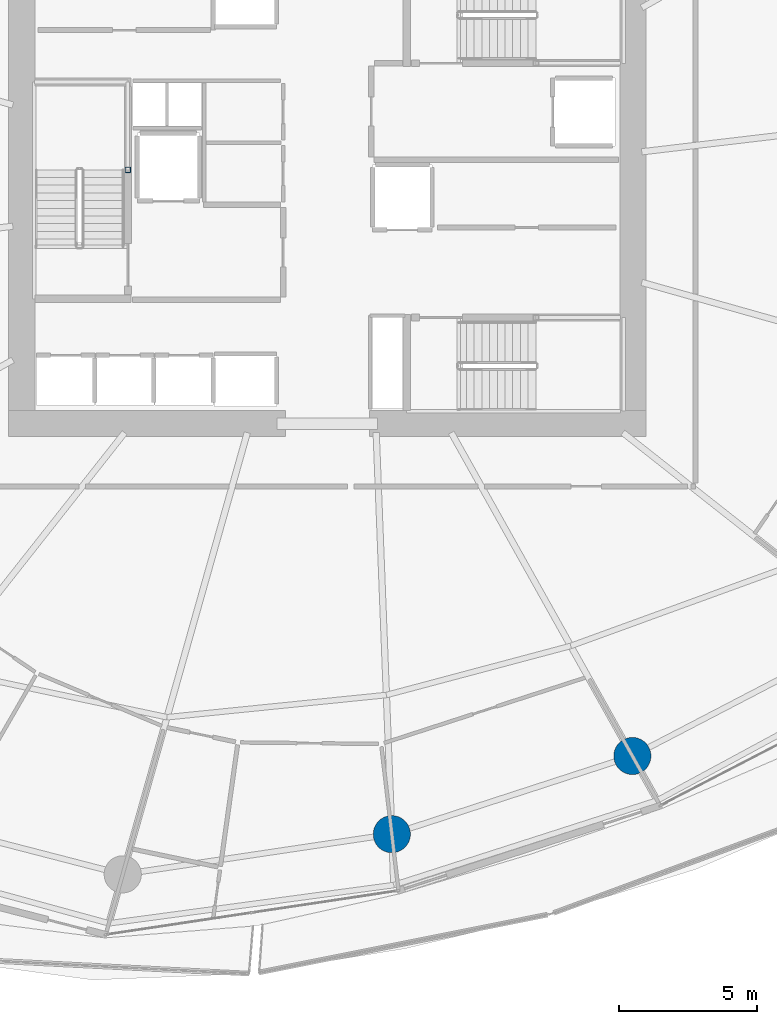
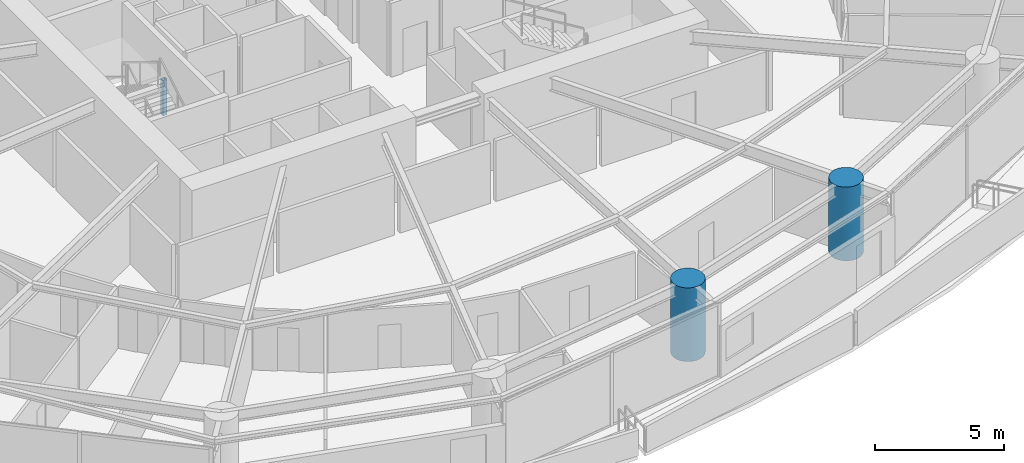
# One storey, part 2 of 31: 3 columns.
"""IFC4 building model written with IfcOpenShell, lengths in metres."""

import ifcopenshell
import ifcopenshell.guid

model = None  # the IFC model being written
_history = None  # IfcOwnerHistory: only IFC2X3 demands one
_inside = {}  # id of a spatial element -> (the spatial element, [elements in it])
_under = {}  # id of a project, library or spatial element -> (it, [spatial elements below it])
_declared = {}  # id of a project -> (the project, [libraries it declares])
_typed = {}  # id of a type object -> (the type object, [elements of that type])
_made_of = {}  # id of a material, layer set ... -> (it, [elements and type objects made of it])


def new_model(schema):
    """Start an empty IFC model of exactly this schema.

    Asked for "IFC4X3", IfcOpenShell would pick the latest addendum, in which some entities
    have other attributes; the version numbers below select the first issue.
    IFC2X3 requires an IfcOwnerHistory on every rooted entity: one is made here for all.
    """
    global model, _history
    if schema == "IFC4X3":
        model = ifcopenshell.file(schema_version=(4, 3, 0, 0))
    else:
        model = ifcopenshell.file(schema=schema)
    _inside.clear()
    _under.clear()
    _declared.clear()
    _typed.clear()
    _made_of.clear()
    _history = None
    if model.schema == "IFC2X3":
        org = make("IfcOrganization", Name="unknown")
        user = make(
            "IfcPersonAndOrganization",
            ThePerson=make("IfcPerson", FamilyName="unknown"),
            TheOrganization=org,
        )
        app = make(
            "IfcApplication",
            ApplicationDeveloper=org,
            Version="unknown",
            ApplicationFullName="unknown",
            ApplicationIdentifier="unknown",
        )
        _history = make(
            "IfcOwnerHistory",
            OwningUser=user,
            OwningApplication=app,
            ChangeAction="ADDED",
            CreationDate=0,
        )
    return model


def make(cls, **values):
    """One entity of the class cls with the attributes given. An attribute that is None is left unset."""
    return model.create_entity(
        cls, **{name: value for name, value in values.items() if value is not None}
    )


def rooted(cls, **values):
    """An entity with a GlobalId (a new one), such as an element, a storey or a relation."""
    return make(cls, GlobalId=ifcopenshell.guid.new(), OwnerHistory=_history, **values)


def si_unit(unit_type, name, prefix=None):
    """IfcSIUnit, for example si_unit("LENGTHUNIT", "METRE", prefix="MILLI")."""
    return make("IfcSIUnit", UnitType=unit_type, Prefix=prefix, Name=name)


def assignment(units):
    """IfcUnitAssignment: the units of a project."""
    return None if units is None else make("IfcUnitAssignment", Units=units)


def point(xyz):
    """IfcCartesianPoint."""
    return None if xyz is None else make("IfcCartesianPoint", Coordinates=xyz)


def direction(xyz):
    """IfcDirection."""
    return None if xyz is None else make("IfcDirection", DirectionRatios=xyz)


def frame(location, z_axis=None, x_axis=None):
    """IfcAxis2Placement3D, a coordinate frame: its origin and axes. An axis left out is left unset."""
    return make(
        "IfcAxis2Placement3D",
        Location=point(location),
        Axis=direction(z_axis),
        RefDirection=direction(x_axis),
    )


def frame_2d(location, x_axis=None):
    """IfcAxis2Placement2D, a coordinate frame in the plane: its origin and x axis."""
    return make(
        "IfcAxis2Placement2D", Location=point(location), RefDirection=direction(x_axis)
    )


def origin():
    """The frame at (0, 0, 0) with its axes left unset."""
    return frame((0.0, 0.0, 0.0))


def origin_2d():
    """The frame at (0, 0) in the plane with its x axis left unset."""
    return frame_2d((0.0, 0.0))


def place(relative_to, where):
    """IfcLocalPlacement: puts the frame where relative to a parent placement (None: the world)."""
    return make(
        "IfcLocalPlacement", PlacementRelTo=relative_to, RelativePlacement=where
    )


def context(
    kind, dimensions, precision=None, world=None, true_north=None, identifier=None
):
    """IfcGeometricRepresentationContext, for example the 3D "Model" context."""
    return make(
        "IfcGeometricRepresentationContext",
        ContextIdentifier=identifier,
        ContextType=kind,
        CoordinateSpaceDimension=dimensions,
        Precision=precision,
        WorldCoordinateSystem=world,
        TrueNorth=true_north,
    )


def subcontext(parent, identifier, kind, view, scale=None):
    """IfcGeometricRepresentationSubContext, for example "Body" below "Model"."""
    return make(
        "IfcGeometricRepresentationSubContext",
        ContextIdentifier=identifier,
        ContextType=kind,
        ParentContext=parent,
        TargetScale=scale,
        TargetView=view,
    )


def project(units=None, contexts=None):
    """IfcProject with its units and contexts."""
    return rooted(
        "IfcProject",
        Name="project",
        RepresentationContexts=contexts,
        UnitsInContext=assignment(units),
    )


def spatial(cls, under=None, at=None, **own):
    """A site, building, storey or space (cls), placed at a placement, below another one or the project."""
    s = rooted(cls, ObjectPlacement=at, **own)
    if under is not None:
        _under.setdefault(under.id(), (under, []))[1].append(s)
    return s


def profile(cls, at=None, kind="AREA", **sizes):
    """A parametric profile (cls). Its sizes go by their IFC names, for example OverallWidth=200.0."""
    return make(cls, ProfileType=kind, Position=at, **sizes)


def hollow_rectangle(**sizes):
    """IfcRectangleHollowProfileDef."""
    return profile("IfcRectangleHollowProfileDef", **sizes)


def circle(**sizes):
    """IfcCircleProfileDef."""
    return profile("IfcCircleProfileDef", **sizes)


def extrude(swept, where, along, depth):
    """IfcExtrudedAreaSolid: the profile swept, set in the frame where, extruded along a direction by depth."""
    return make(
        "IfcExtrudedAreaSolid",
        SweptArea=swept,
        Position=where,
        ExtrudedDirection=direction(along),
        Depth=depth,
    )


def shape(context_of_items, identifier, shape_type, items):
    """IfcShapeRepresentation: the items that make up one representation, for example the "Body"."""
    return make(
        "IfcShapeRepresentation",
        ContextOfItems=context_of_items,
        RepresentationIdentifier=identifier,
        RepresentationType=shape_type,
        Items=items,
    )


def material(Name=None, Category=None):
    """IfcMaterial."""
    return make("IfcMaterial", Name=Name, Category=Category)


def material_profile(
    of_material, cross_section, Name=None, Category=None, Priority=None
):
    """IfcMaterialProfile: a cross section and its material."""
    return make(
        "IfcMaterialProfile",
        Name=Name,
        Material=of_material,
        Profile=cross_section,
        Priority=Priority,
        Category=Category,
    )


def profile_set(profiles, Name=None, composite=None):
    """IfcMaterialProfileSet."""
    return make(
        "IfcMaterialProfileSet",
        Name=Name,
        MaterialProfiles=profiles,
        CompositeProfile=composite,
    )


def made_of(thing, what):
    """Note that an element or type object is made of a material, layer set ...; save() writes the relation."""
    if what is not None:
        _made_of.setdefault(what.id(), (what, []))[1].append(thing)
    return thing


def type_object(cls, material=None, **own):
    """A type object (cls), such as IfcWallType, which elements share."""
    return made_of(rooted(cls, **own), material)


def element(
    cls,
    number,
    at=None,
    inside=None,
    cuts=None,
    type_object=None,
    material=None,
    context=None,
    identifier="Body",
    shape_type=None,
    held_by="IfcProductDefinitionShape",
    body=None,
    shapes=None,
    **own,
):
    """One element of the class cls, such as IfcWall. Its Tag is "e" and its number.

    at: its placement. inside: the storey or other place that contains it. cuts: it is an
    opening in that element (IfcRelVoidsElement). A single representation is given by context,
    identifier, shape_type and body (its items); several are given by shapes. held_by: the class
    of the entity that holds the representations. save() writes the other relations.
    """
    e = rooted(cls, Tag="e%d" % number, ObjectPlacement=at, **own)
    if body is not None:
        shapes = [shape(context, identifier, shape_type, body)]
    if shapes is not None:
        e.Representation = make(held_by, Representations=shapes)
    if inside is not None:
        _inside.setdefault(inside.id(), (inside, []))[1].append(e)
    if cuts is not None:
        rooted(
            "IfcRelVoidsElement", RelatingBuildingElement=cuts, RelatedOpeningElement=e
        )
    if type_object is not None:
        _typed.setdefault(type_object.id(), (type_object, []))[1].append(e)
    return made_of(e, material)


def aggregate(whole, parts):
    """IfcRelAggregates: a whole, such as a stair, and the parts it consists of."""
    return rooted("IfcRelAggregates", RelatingObject=whole, RelatedObjects=parts)


def save(model, path):
    """Write the relations noted so far, then the file.

    IfcRelAggregates (storeys below a building ...), IfcRelContainedInSpatialStructure (elements
    in a storey), IfcRelDefinesByType, IfcRelAssociatesMaterial and IfcRelDeclares: one each for
    every whole, place, type object, material and project.
    """
    for whole, parts in _under.values():
        aggregate(whole, parts)
    for where, things in _inside.values():
        rooted(
            "IfcRelContainedInSpatialStructure",
            RelatedElements=things,
            RelatingStructure=where,
        )
    for kind, things in _typed.values():
        rooted("IfcRelDefinesByType", RelatedObjects=things, RelatingType=kind)
    for what, things in _made_of.values():
        rooted("IfcRelAssociatesMaterial", RelatedObjects=things, RelatingMaterial=what)
    for by, libraries in _declared.values():
        rooted("IfcRelDeclares", RelatingContext=by, RelatedDefinitions=libraries)
    model.write(path)


model = new_model("IFC4")

# Units and contexts
model_context = context("Model", 3, precision=1e-05, world=origin(), true_north=direction((0.0, 1.0)))
body_context = subcontext(model_context, "Body", "Model", "MODEL_VIEW")
ifc_project = project(units=[si_unit("LENGTHUNIT", "METRE"), si_unit("AREAUNIT", "SQUARE_METRE"), si_unit("VOLUMEUNIT", "CUBIC_METRE"), si_unit("PLANEANGLEUNIT", "RADIAN"), si_unit("MASSUNIT", "GRAM", prefix="KILO")], contexts=[model_context])

# Site, building, storey
site_placement = place(None, origin())
site = spatial("IfcSite", under=ifc_project, at=site_placement, CompositionType="ELEMENT")
building_placement = place(site_placement, origin())
building = spatial("IfcBuilding", under=site, at=building_placement, Name="Kazma Halo Residences", CompositionType="ELEMENT")
storey_placement = place(building_placement, frame((0.0, 0.0, 37.64990234375)))
storey = spatial("IfcBuildingStorey", under=building, at=storey_placement, Name="L08", CompositionType="ELEMENT", Elevation=37.64990234375)

# Columns
ifc_material_1 = material(Name="Steel S355", Category="steel")
ifc_material_profile_1 = material_profile(ifc_material_1, hollow_rectangle(XDim=0.199951171875, YDim=0.199951171875, WallThickness=0.010009765625, InnerFilletRadius=0.010009765625, OuterFilletRadius=0.02001953125, at=origin_2d()), Name="SHS200x200x10")
ifc_profile_set_1 = profile_set([ifc_material_profile_1], Name="Steel S355")
column_type_1 = type_object("IfcColumnType", Name="COL-LP-SHS200", PredefinedType="COLUMN", material=ifc_profile_set_1)
column_placement = place(storey_placement, frame((41.179931640625, 42.75, 0.0), z_axis=(0.0, 0.0, 1.0), x_axis=(1.0, 0.0, 0.0)))
element("IfcColumn", 1, at=column_placement, inside=storey, type_object=column_type_1, Name="L08 ST-01 landing pilaster 1", PredefinedType="COLUMN", context=body_context, shape_type="SweptSolid", body=[
    extrude(hollow_rectangle(XDim=0.199951171875, YDim=0.199951171875, WallThickness=0.010009765625, InnerFilletRadius=0.010009765625, OuterFilletRadius=0.02001953125, at=origin_2d()), origin(), (0.0, 0.0, 1.0), 1.670166015625),
])
ifc_material_2 = material(Name="Concrete C80/95", Category="concrete")
ifc_material_profile_2 = material_profile(ifc_material_2, circle(Radius=0.675048828125, at=origin_2d()), Name="CIRC1350")
ifc_profile_set_2 = profile_set([ifc_material_profile_2], Name="Concrete C80/95")
column_type_2 = type_object("IfcColumnType", Name="COL-PERIM-1350", PredefinedType="COLUMN", material=ifc_profile_set_2)
for number, where, z_axis, x_axis, name in (
    (2, (50.768310546875, 18.610595703125, 0.0), (0.0, 0.0, 1.0), (1.0, 0.0, 0.0), "L08 perimeter ring column P12"),
    (3, (59.50830078125, 21.450439453125, 0.0), (0.0, 0.0, 1.0), (1.0, 0.0, 0.0), "L08 perimeter ring column P13"),
):
    element("IfcColumn", number, at=place(storey_placement, frame(where, z_axis=z_axis, x_axis=x_axis)), inside=storey, type_object=column_type_2, Name=name, PredefinedType="COLUMN", context=body_context, shape_type="SweptSolid", body=[
        extrude(circle(Radius=0.675048828125, at=origin_2d()), origin(), (0.0, 0.0, 1.0), 3.5),
    ])

save(model, "model.ifc")
